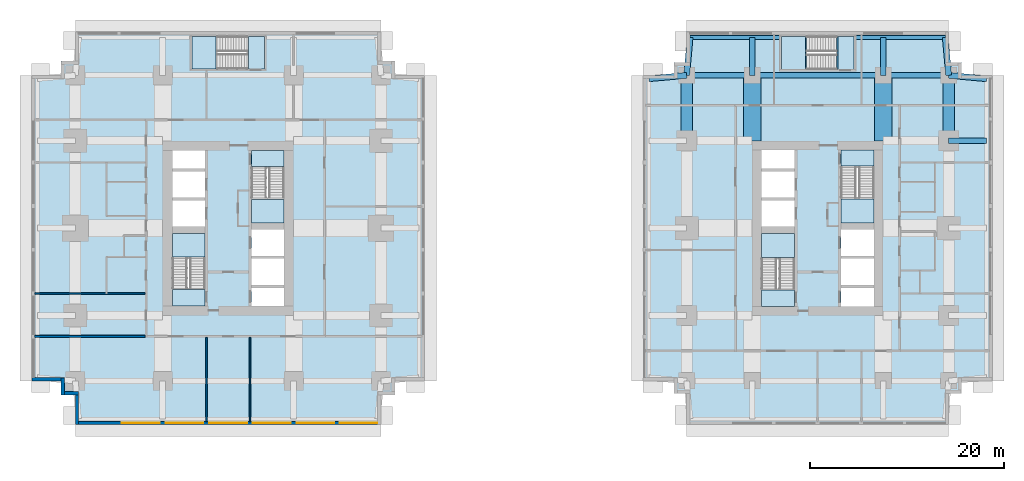
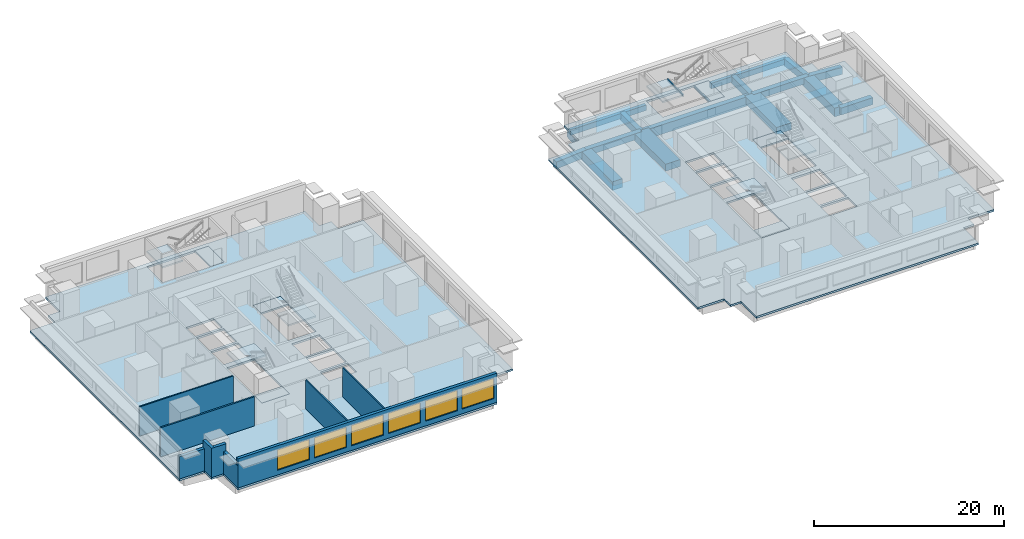
# One storey, part 2 of 11: 18 beams, 14 slabs, 9 walls, 6 windows, 6 openings, 6 elements without a shape of their own.
"""IFC4 building model written with IfcOpenShell, lengths in metres."""

from ifc_helpers import new_model, si_unit, direction, frame, frame_2d, origin, origin_2d, place, context, subcontext, project, spatial, polyline, rectangle, i_section, outline, extrude, material, layer, layer_set, material_profile, profile_set, type_object, element, fill, aggregate, save


model = new_model("IFC4")

# Units and contexts
model_context = context("Model", 3, precision=1e-05, world=origin(), true_north=direction((0.0, 1.0)))
body_context = subcontext(model_context, "Body", "Model", "MODEL_VIEW")
ifc_project = project(units=[si_unit("LENGTHUNIT", "METRE"), si_unit("AREAUNIT", "SQUARE_METRE"), si_unit("VOLUMEUNIT", "CUBIC_METRE"), si_unit("PLANEANGLEUNIT", "RADIAN"), si_unit("MASSUNIT", "GRAM", prefix="KILO")], contexts=[model_context])

# Site, building, storey
site_placement = place(None, origin())
site = spatial("IfcSite", under=ifc_project, at=site_placement, CompositionType="ELEMENT")
building_placement = place(site_placement, origin())
building = spatial("IfcBuilding", under=site, at=building_placement, Name="Namib Vertical Campus", CompositionType="ELEMENT")
storey_placement = place(building_placement, frame((0.0, 0.0, 69.0)))
storey = spatial("IfcBuildingStorey", under=building, at=storey_placement, Name="L16", CompositionType="ELEMENT", Elevation=69.0)

# Beams
ifc_material_1 = material(Name="Concrete C40/50", Category="concrete")
ifc_material_profile_1 = material_profile(ifc_material_1, rectangle(XDim=0.60009765625, YDim=0.89990234375, at=origin_2d()))
ifc_profile_set_1 = profile_set([ifc_material_profile_1], Name="Concrete C40/50")
beam_type_1 = type_object("IfcBeamType", Name="Cantilever girder RC 600x900", PredefinedType="BEAM", material=ifc_profile_set_1)
beam_1_placement = place(storey_placement, frame((67.5, 36.0, -0.699951171875), z_axis=(0.089411326146, 0.995994786511, 0.0), x_axis=(-0.995994786511, 0.089411326146, 0.0)))
element("IfcBeam", 1, at=beam_1_placement, inside=storey, type_object=beam_type_1, Name="Beam B3 L16", PredefinedType="BEAM", context=body_context, shape_type="SweptSolid", body=[
    extrude(rectangle(XDim=0.60009765625, YDim=0.89990234375, at=origin_2d()), origin(), (0.0, 0.0, 1.0), 3.91552734375),
])
for number, where, z_axis, x_axis, name in (
    (2, (74.25, 36.0, -0.699951171875), (0.0, 1.0, 0.0), (-1.0, 0.0, 0.0), "Beam B3 L16"),
    (3, (87.75, 36.0, -0.699951171875), (0.0, 1.0, 0.0), (-1.0, 0.0, 0.0), "Beam B3 L16"),
):
    element("IfcBeam", number, at=place(storey_placement, frame(where, z_axis=z_axis, x_axis=x_axis)), inside=storey, type_object=beam_type_1, Name=name, PredefinedType="BEAM", context=body_context, shape_type="SweptSolid", body=[
        extrude(rectangle(XDim=0.60009765625, YDim=0.89990234375, at=origin_2d()), origin(), (0.0, 0.0, 1.0), 3.89990234375),
    ])
for number, where, z_axis, x_axis, name in (
    (4, (94.5, 36.0, -0.699951171875), (-0.089411326146, 0.995994786511, 0.0), (-0.995994786511, -0.089411326146, 0.0), "Beam B3 L16"),
    (5, (67.5, 36.0, -0.699951171875), (-0.995994786511, -0.089411326146, 0.0), (0.089411326146, -0.995994786511, 0.0), "Beam B3 L16"),
):
    element("IfcBeam", number, at=place(storey_placement, frame(where, z_axis=z_axis, x_axis=x_axis)), inside=storey, type_object=beam_type_1, Name=name, PredefinedType="BEAM", context=body_context, shape_type="SweptSolid", body=[
        extrude(rectangle(XDim=0.60009765625, YDim=0.89990234375, at=origin_2d()), origin(), (0.0, 0.0, 1.0), 3.91552734375),
    ])
beam_2_placement = place(storey_placement, frame((94.5, 29.25, -0.699951171875), z_axis=(1.0, 0.0, 0.0), x_axis=(0.0, 1.0, 0.0)))
element("IfcBeam", 6, at=beam_2_placement, inside=storey, type_object=beam_type_1, Name="Beam B3 L16", PredefinedType="BEAM", context=body_context, shape_type="SweptSolid", body=[
    extrude(rectangle(XDim=0.60009765625, YDim=0.89990234375, at=origin_2d()), origin(), (0.0, 0.0, 1.0), 3.89990234375),
])
beam_3_placement = place(storey_placement, frame((94.5, 36.0, -0.699951171875), z_axis=(0.995994786511, -0.089411326146, 0.0), x_axis=(0.089411326146, 0.995994786511, 0.0)))
element("IfcBeam", 7, at=beam_3_placement, inside=storey, type_object=beam_type_1, Name="Beam B3 L16", PredefinedType="BEAM", context=body_context, shape_type="SweptSolid", body=[
    extrude(rectangle(XDim=0.60009765625, YDim=0.89990234375, at=origin_2d()), origin(), (0.0, 0.0, 1.0), 3.91552734375),
])
ifc_material_2 = material(Name="Concrete C40/50", Category="concrete")
ifc_material_profile_2 = material_profile(ifc_material_2, rectangle(XDim=0.39990234375, YDim=0.699951171875, at=origin_2d()))
ifc_profile_set_2 = profile_set([ifc_material_profile_2], Name="Concrete C40/50")
beam_type_2 = type_object("IfcBeamType", Name="Edge beam RC 400x700", PredefinedType="SPANDREL", material=ifc_profile_set_2)
for number, where, z_axis, x_axis, name in (
    (8, (67.85009765625, 39.89990234375, -0.60009765625), (1.0, 0.0, 0.0), (0.0, 1.0, 0.0), "Beam B4 L16"),
    (9, (84.949951171875, 39.89990234375, -0.60009765625), (1.0, 0.0, 0.0), (0.0, 1.0, 0.0), "Beam B4 L16"),
):
    element("IfcBeam", number, at=place(storey_placement, frame(where, z_axis=z_axis, x_axis=x_axis)), inside=storey, type_object=beam_type_2, Name=name, PredefinedType="SPANDREL", context=body_context, shape_type="SweptSolid", body=[
        extrude(rectangle(XDim=0.39990234375, YDim=0.699951171875, at=origin_2d()), origin(), (0.0, 0.0, 1.0), 9.199951171875),
    ])
ifc_material_3 = material(Name="Concrete C40/50", Category="concrete")
ifc_material_profile_3 = material_profile(ifc_material_3, rectangle(XDim=1.199951171875, YDim=1.10009765625, at=origin_2d()))
ifc_profile_set_3 = profile_set([ifc_material_profile_3], Name="Concrete C40/50")
beam_type_3 = type_object("IfcBeamType", Name="Face ring beam RC 1200x1100", PredefinedType="BEAM", material=ifc_profile_set_3)
for number, where, z_axis, x_axis, name in (
    (10, (67.5, 29.25, -0.800048828125), (0.0, 1.0, 0.0), (-1.0, 0.0, 0.0), "Beam B11 L16"),
    (11, (94.5, 29.25, -0.800048828125), (0.0, 1.0, 0.0), (-1.0, 0.0, 0.0), "Beam B11 L16"),
):
    element("IfcBeam", number, at=place(storey_placement, frame(where, z_axis=z_axis, x_axis=x_axis)), inside=storey, type_object=beam_type_3, Name=name, PredefinedType="BEAM", context=body_context, shape_type="SweptSolid", body=[
        extrude(rectangle(XDim=1.199951171875, YDim=1.10009765625, at=origin_2d()), origin(), (0.0, 0.0, 1.0), 6.75),
    ])
ifc_material_4 = material(Name="Steel S355JR", Category="steel")
ifc_material_profile_4 = material_profile(ifc_material_4, i_section(OverallWidth=0.14599609375, OverallDepth=0.25146484375, WebThickness=0.006103515625, FlangeThickness=0.008544921875, FilletRadius=0.007568359375, at=origin_2d()))
ifc_profile_set_4 = profile_set([ifc_material_profile_4], Name="Steel S355JR")
beam_type_4 = type_object("IfcBeamType", Name="Landing trimmer UB 254x146x31", PredefinedType="BEAM", material=ifc_profile_set_4)
for number, where, z_axis, x_axis, name in (
    (12, (83.02294921875, 36.60009765625, -0.125732421875), (0.0, 1.0, 0.0), (-1.0, 0.0, 0.0), "Landing trimmer LT1 B-S3 L16 1"),
    (13, (79.796875, 36.60009765625, 1.874267578125), (0.0, 1.0, 0.0), (-1.0, 0.0, 0.0), "Landing trimmer LT1 B-S3 L16 2"),
):
    element("IfcBeam", number, at=place(storey_placement, frame(where, z_axis=z_axis, x_axis=x_axis)), inside=storey, type_object=beam_type_4, Name=name, PredefinedType="BEAM", context=body_context, shape_type="SweptSolid", body=[
        extrude(i_section(OverallWidth=0.14599609375, OverallDepth=0.25146484375, WebThickness=0.006103515625, FlangeThickness=0.008544921875, FilletRadius=0.007568359375, at=origin_2d()), origin(), (0.0, 0.0, 1.0), 3.39990234375),
    ])
ifc_material_5 = material(Name="Concrete C40/50", Category="concrete")
ifc_material_profile_5 = material_profile(ifc_material_5, rectangle(XDim=0.60009765625, YDim=1.199951171875, at=origin_2d()))
ifc_profile_set_5 = profile_set([ifc_material_profile_5], Name="Concrete C40/50")
beam_type_5 = type_object("IfcBeamType", Name="Long-span ring beam RC 600x1200", PredefinedType="BEAM", material=ifc_profile_set_5)
beam_4_placement = place(storey_placement, frame((74.25, 36.0, -0.85009765625), z_axis=(1.0, 0.0, 0.0), x_axis=(0.0, 1.0, 0.0)))
element("IfcBeam", 14, at=beam_4_placement, inside=storey, type_object=beam_type_5, Name="Beam B9 L16", PredefinedType="BEAM", context=body_context, shape_type="SweptSolid", body=[
    extrude(rectangle(XDim=0.60009765625, YDim=1.199951171875, at=origin_2d()), origin(), (0.0, 0.0, 1.0), 13.5),
])
ifc_material_6 = material(Name="Concrete C40/50", Category="concrete")
ifc_material_profile_6 = material_profile(ifc_material_6, rectangle(XDim=1.800048828125, YDim=0.89990234375, at=origin_2d()))
ifc_profile_set_6 = profile_set([ifc_material_profile_6], Name="Concrete C40/50")
beam_type_6 = type_object("IfcBeamType", Name="Outrigger line girder RC 1800x900", PredefinedType="BEAM", material=ifc_profile_set_6)
for number, where, z_axis, x_axis, name in (
    (15, (74.25, 36.0, -0.699951171875), (0.0, -1.0, 0.0), (1.0, 0.0, 0.0), "Beam B12 L16"),
    (16, (87.75, 36.0, -0.699951171875), (0.0, -1.0, 0.0), (1.0, 0.0, 0.0), "Beam B12 L16"),
):
    element("IfcBeam", number, at=place(storey_placement, frame(where, z_axis=z_axis, x_axis=x_axis)), inside=storey, type_object=beam_type_6, Name=name, PredefinedType="BEAM", context=body_context, shape_type="SweptSolid", body=[
        extrude(rectangle(XDim=1.800048828125, YDim=0.89990234375, at=origin_2d()), origin(), (0.0, 0.0, 1.0), 6.75),
    ])
ifc_material_7 = material(Name="Concrete C40/50", Category="concrete")
ifc_material_profile_7 = material_profile(ifc_material_7, rectangle(XDim=0.60009765625, YDim=0.800048828125, at=origin_2d()))
ifc_profile_set_7 = profile_set([ifc_material_profile_7], Name="Concrete C40/50")
beam_type_7 = type_object("IfcBeamType", Name="Ring beam RC 600x800", PredefinedType="BEAM", material=ifc_profile_set_7)
for number, where, z_axis, x_axis, name in (
    (17, (67.5, 36.0, -0.64990234375), (1.0, 0.0, 0.0), (0.0, 1.0, 0.0), "Beam B1 L16"),
    (18, (87.75, 36.0, -0.64990234375), (1.0, 0.0, 0.0), (0.0, 1.0, 0.0), "Beam B1 L16"),
):
    element("IfcBeam", number, at=place(storey_placement, frame(where, z_axis=z_axis, x_axis=x_axis)), inside=storey, type_object=beam_type_7, Name=name, PredefinedType="BEAM", context=body_context, shape_type="SweptSolid", body=[
        extrude(rectangle(XDim=0.60009765625, YDim=0.800048828125, at=origin_2d()), origin(), (0.0, 0.0, 1.0), 6.75),
    ])

# Slabs
ifc_material_8 = material(Name="Concrete C40/50", Category="concrete")
ifc_layer_1 = layer(ifc_material_8, 0.25)
ifc_layer_set_1 = layer_set([ifc_layer_1], Name="Concrete C40/50")
slab_type_1 = type_object("IfcSlabType", Name="Floor slab 250", PredefinedType="FLOOR", material=ifc_layer_set_1)
slab_1_placement = place(storey_placement, frame((0.0, 0.0, -0.25)))
element("IfcSlab", 19, at=slab_1_placement, inside=storey, type_object=slab_type_1, Name="Floor slab A L16", PredefinedType="FLOOR", context=body_context, shape_type="SweptSolid", body=[
    extrude(outline(polyline([(4.5, 0.0), (36.0, 0.0), (36.0, 3.050048828125), (37.449951171875, 3.050048828125), (37.449951171875, 4.5), (40.5, 4.5), (40.5, 36.0), (37.449951171875, 36.0), (37.449951171875, 37.449951171875), (36.0, 37.449951171875), (36.0, 40.5), (4.5, 40.5), (4.5, 37.449951171875), (3.050048828125, 37.449951171875), (3.050048828125, 36.0), (0.0, 36.0), (0.0, 4.5), (3.050048828125, 4.5), (3.050048828125, 3.050048828125), (4.5, 3.050048828125), (4.5, 0.0)]), holes=[polyline([(14.5, 12.25), (17.85009765625, 12.25), (17.85009765625, 19.699951171875), (14.5, 19.699951171875), (14.5, 12.25)]), polyline([(22.64990234375, 20.800048828125), (26.0, 20.800048828125), (26.0, 28.25), (22.64990234375, 28.25), (22.64990234375, 20.800048828125)]), polyline([(22.64990234375, 12.25), (26.0, 12.25), (26.0, 14.10009765625), (22.64990234375, 14.10009765625), (22.64990234375, 12.25)]), polyline([(14.5, 20.39990234375), (17.85009765625, 20.39990234375), (17.85009765625, 23.10009765625), (14.5, 23.10009765625), (14.5, 20.39990234375)]), polyline([(14.5, 23.39990234375), (17.85009765625, 23.39990234375), (17.85009765625, 26.10009765625), (14.5, 26.10009765625), (14.5, 23.39990234375)]), polyline([(14.5, 26.39990234375), (17.85009765625, 26.39990234375), (17.85009765625, 28.25), (14.5, 28.25), (14.5, 26.39990234375)]), polyline([(22.64990234375, 14.39990234375), (26.0, 14.39990234375), (26.0, 17.10009765625), (22.64990234375, 17.10009765625), (22.64990234375, 14.39990234375)]), polyline([(22.64990234375, 17.39990234375), (26.0, 17.39990234375), (26.0, 20.10009765625), (22.64990234375, 20.10009765625), (22.64990234375, 17.39990234375)]), polyline([(16.5, 36.64990234375), (24.0, 36.64990234375), (24.0, 40.0), (16.5, 40.0), (16.5, 36.64990234375)])]), origin(), (0.0, 0.0, 1.0), 0.25),
])
slab_2_placement = place(storey_placement, frame((0.0, 0.0, -0.25)))
element("IfcSlab", 20, at=slab_2_placement, inside=storey, type_object=slab_type_1, Name="Floor slab B L16", PredefinedType="FLOOR", context=body_context, shape_type="SweptSolid", body=[
    extrude(outline(polyline([(67.5, 0.0), (94.5, 0.0), (94.5, 3.199951171875), (95.800048828125, 3.199951171875), (95.800048828125, 4.5), (99.0, 4.5), (99.0, 36.0), (95.800048828125, 36.0), (95.800048828125, 37.300048828125), (94.5, 37.300048828125), (94.5, 40.5), (67.5, 40.5), (67.5, 37.300048828125), (66.199951171875, 37.300048828125), (66.199951171875, 36.0), (63.0, 36.0), (63.0, 4.5), (66.199951171875, 4.5), (66.199951171875, 3.199951171875), (67.5, 3.199951171875), (67.5, 0.0)]), holes=[polyline([(75.199951171875, 12.199951171875), (78.60009765625, 12.199951171875), (78.60009765625, 19.699951171875), (75.199951171875, 19.699951171875), (75.199951171875, 12.199951171875)]), polyline([(83.39990234375, 20.800048828125), (86.800048828125, 20.800048828125), (86.800048828125, 28.300048828125), (83.39990234375, 28.300048828125), (83.39990234375, 20.800048828125)]), polyline([(83.39990234375, 12.199951171875), (86.800048828125, 12.199951171875), (86.800048828125, 14.10009765625), (83.39990234375, 14.10009765625), (83.39990234375, 12.199951171875)]), polyline([(75.199951171875, 20.39990234375), (78.60009765625, 20.39990234375), (78.60009765625, 23.10009765625), (75.199951171875, 23.10009765625), (75.199951171875, 20.39990234375)]), polyline([(75.199951171875, 23.39990234375), (78.60009765625, 23.39990234375), (78.60009765625, 26.10009765625), (75.199951171875, 26.10009765625), (75.199951171875, 23.39990234375)]), polyline([(75.199951171875, 26.39990234375), (78.60009765625, 26.39990234375), (78.60009765625, 28.300048828125), (75.199951171875, 28.300048828125), (75.199951171875, 26.39990234375)]), polyline([(83.39990234375, 14.39990234375), (86.800048828125, 14.39990234375), (86.800048828125, 17.10009765625), (83.39990234375, 17.10009765625), (83.39990234375, 14.39990234375)]), polyline([(83.39990234375, 17.39990234375), (86.800048828125, 17.39990234375), (86.800048828125, 20.10009765625), (83.39990234375, 20.10009765625), (83.39990234375, 17.39990234375)]), polyline([(77.25, 36.60009765625), (84.75, 36.60009765625), (84.75, 40.0), (77.25, 40.0), (77.25, 36.60009765625)])]), origin(), (0.0, 0.0, 1.0), 0.25),
])

# Stair, slabs
ifc_material_9 = material(Name="Concrete C40/50 precast", Category="concrete")
stair_type_1 = type_object("IfcStairType", Name="Exit stair 4000 rise 24 risers 3350 wide", PredefinedType="HALF_TURN_STAIR", material=ifc_material_9)
stair_1_placement = place(storey_placement, origin())
stair_1 = element("IfcStair", 21, at=stair_1_placement, inside=storey, type_object=stair_type_1, Name="Exit stair A-S1 L16", PredefinedType="HALF_TURN_STAIR")
ifc_material_10 = material(Name="Concrete C40/50", Category="concrete")
ifc_layer_2 = layer(ifc_material_10, 0.199951171875)
ifc_layer_set_2 = layer_set([ifc_layer_2], Name="Concrete C40/50")
slab_type_2 = type_object("IfcSlabType", Name="Stair landing 200", PredefinedType="LANDING", material=ifc_layer_set_2)
slab_3_placement = place(storey_placement, frame((0.0, 0.0, -0.199951171875)))
slab_3 = element("IfcSlab", 22, at=slab_3_placement, type_object=slab_type_2, Name="A-S1 landing 1", PredefinedType="LANDING", context=body_context, shape_type="SweptSolid", body=[
    extrude(outline(polyline([(14.5, 12.25), (17.85009765625, 12.25), (17.85009765625, 13.90380859375), (14.5, 13.90380859375), (14.5, 12.25)])), origin(), (0.0, 0.0, 1.0), 0.199951171875),
])
slab_4_placement = place(storey_placement, frame((0.0, 0.0, 1.800048828125)))
slab_4 = element("IfcSlab", 23, at=slab_4_placement, type_object=slab_type_2, Name="A-S1 landing 2", PredefinedType="LANDING", context=body_context, shape_type="SweptSolid", body=[
    extrude(outline(polyline([(14.5, 17.276123046875), (17.85009765625, 17.276123046875), (17.85009765625, 19.699951171875), (14.5, 19.699951171875), (14.5, 17.276123046875)])), origin(), (0.0, 0.0, 1.0), 0.199951171875),
])
aggregate(stair_1, [slab_3, slab_4])

stair_2_placement = place(storey_placement, origin())
stair_2 = element("IfcStair", 24, at=stair_2_placement, inside=storey, type_object=stair_type_1, Name="Exit stair A-S2 L16", PredefinedType="HALF_TURN_STAIR")
slab_5_placement = place(storey_placement, frame((0.0, 0.0, -0.199951171875)))
slab_5 = element("IfcSlab", 25, at=slab_5_placement, type_object=slab_type_2, Name="A-S2 landing 1", PredefinedType="LANDING", context=body_context, shape_type="SweptSolid", body=[
    extrude(outline(polyline([(22.64990234375, 26.59619140625), (26.0, 26.59619140625), (26.0, 28.25), (22.64990234375, 28.25), (22.64990234375, 26.59619140625)])), origin(), (0.0, 0.0, 1.0), 0.199951171875),
])
slab_6_placement = place(storey_placement, frame((0.0, 0.0, 1.800048828125)))
slab_6 = element("IfcSlab", 26, at=slab_6_placement, type_object=slab_type_2, Name="A-S2 landing 2", PredefinedType="LANDING", context=body_context, shape_type="SweptSolid", body=[
    extrude(outline(polyline([(22.64990234375, 20.800048828125), (26.0, 20.800048828125), (26.0, 23.223876953125), (22.64990234375, 23.223876953125), (22.64990234375, 20.800048828125)])), origin(), (0.0, 0.0, 1.0), 0.199951171875),
])
aggregate(stair_2, [slab_5, slab_6])

ifc_material_11 = material(Name="Concrete C40/50 precast", Category="concrete")
stair_type_2 = type_object("IfcStairType", Name="Exit stair 4000 rise 24 risers 3400 wide", PredefinedType="HALF_TURN_STAIR", material=ifc_material_11)
stair_3_placement = place(storey_placement, origin())
stair_3 = element("IfcStair", 27, at=stair_3_placement, inside=storey, type_object=stair_type_2, Name="Exit stair B-S1 L16", PredefinedType="HALF_TURN_STAIR")
slab_7_placement = place(storey_placement, frame((0.0, 0.0, -0.199951171875)))
slab_7 = element("IfcSlab", 28, at=slab_7_placement, type_object=slab_type_2, Name="B-S1 landing 1", PredefinedType="LANDING", context=body_context, shape_type="SweptSolid", body=[
    extrude(outline(polyline([(75.199951171875, 12.199951171875), (78.60009765625, 12.199951171875), (78.60009765625, 13.85400390625), (75.199951171875, 13.85400390625), (75.199951171875, 12.199951171875)])), origin(), (0.0, 0.0, 1.0), 0.199951171875),
])
slab_8_placement = place(storey_placement, frame((0.0, 0.0, 1.800048828125)))
slab_8 = element("IfcSlab", 29, at=slab_8_placement, type_object=slab_type_2, Name="B-S1 landing 2", PredefinedType="LANDING", context=body_context, shape_type="SweptSolid", body=[
    extrude(outline(polyline([(75.199951171875, 17.22607421875), (78.60009765625, 17.22607421875), (78.60009765625, 19.699951171875), (75.199951171875, 19.699951171875), (75.199951171875, 17.22607421875)])), origin(), (0.0, 0.0, 1.0), 0.199951171875),
])
aggregate(stair_3, [slab_7, slab_8])

stair_4_placement = place(storey_placement, origin())
stair_4 = element("IfcStair", 30, at=stair_4_placement, inside=storey, type_object=stair_type_2, Name="Exit stair B-S2 L16", PredefinedType="HALF_TURN_STAIR")
slab_9_placement = place(storey_placement, frame((0.0, 0.0, -0.199951171875)))
slab_9 = element("IfcSlab", 31, at=slab_9_placement, type_object=slab_type_2, Name="B-S2 landing 1", PredefinedType="LANDING", context=body_context, shape_type="SweptSolid", body=[
    extrude(outline(polyline([(83.39990234375, 26.64599609375), (86.800048828125, 26.64599609375), (86.800048828125, 28.300048828125), (83.39990234375, 28.300048828125), (83.39990234375, 26.64599609375)])), origin(), (0.0, 0.0, 1.0), 0.199951171875),
])
slab_10_placement = place(storey_placement, frame((0.0, 0.0, 1.800048828125)))
slab_10 = element("IfcSlab", 32, at=slab_10_placement, type_object=slab_type_2, Name="B-S2 landing 2", PredefinedType="LANDING", context=body_context, shape_type="SweptSolid", body=[
    extrude(outline(polyline([(83.39990234375, 20.800048828125), (86.800048828125, 20.800048828125), (86.800048828125, 23.27392578125), (83.39990234375, 23.27392578125), (83.39990234375, 20.800048828125)])), origin(), (0.0, 0.0, 1.0), 0.199951171875),
])
aggregate(stair_4, [slab_9, slab_10])

stair_5_placement = place(storey_placement, origin())
stair_5 = element("IfcStair", 33, at=stair_5_placement, inside=storey, type_object=stair_type_1, Name="Exit stair A-S3 L16", PredefinedType="HALF_TURN_STAIR")
slab_11_placement = place(storey_placement, frame((0.0, 0.0, -0.199951171875)))
slab_11 = element("IfcSlab", 34, at=slab_11_placement, type_object=slab_type_2, Name="A-S3 landing 1", PredefinedType="LANDING", context=body_context, shape_type="SweptSolid", body=[
    extrude(outline(polyline([(22.34619140625, 36.64990234375), (22.34619140625, 40.0), (24.0, 40.0), (24.0, 36.64990234375), (22.34619140625, 36.64990234375)])), origin(), (0.0, 0.0, 1.0), 0.199951171875),
])
slab_12_placement = place(storey_placement, frame((0.0, 0.0, 1.800048828125)))
slab_12 = element("IfcSlab", 35, at=slab_12_placement, type_object=slab_type_2, Name="A-S3 landing 2", PredefinedType="LANDING", context=body_context, shape_type="SweptSolid", body=[
    extrude(outline(polyline([(16.5, 36.64990234375), (16.5, 40.0), (18.973876953125, 40.0), (18.973876953125, 36.64990234375), (16.5, 36.64990234375)])), origin(), (0.0, 0.0, 1.0), 0.199951171875),
])
aggregate(stair_5, [slab_11, slab_12])

stair_6_placement = place(storey_placement, origin())
stair_6 = element("IfcStair", 36, at=stair_6_placement, inside=storey, type_object=stair_type_2, Name="Exit stair B-S3 L16", PredefinedType="HALF_TURN_STAIR")
slab_13_placement = place(storey_placement, frame((0.0, 0.0, -0.199951171875)))
slab_13 = element("IfcSlab", 37, at=slab_13_placement, type_object=slab_type_2, Name="B-S3 landing 1", PredefinedType="LANDING", context=body_context, shape_type="SweptSolid", body=[
    extrude(outline(polyline([(83.09619140625, 36.60009765625), (83.09619140625, 40.0), (84.75, 40.0), (84.75, 36.60009765625), (83.09619140625, 36.60009765625)])), origin(), (0.0, 0.0, 1.0), 0.199951171875),
])
slab_14_placement = place(storey_placement, frame((0.0, 0.0, 1.800048828125)))
slab_14 = element("IfcSlab", 38, at=slab_14_placement, type_object=slab_type_2, Name="B-S3 landing 2", PredefinedType="LANDING", context=body_context, shape_type="SweptSolid", body=[
    extrude(outline(polyline([(77.25, 36.60009765625), (77.25, 40.0), (79.723876953125, 40.0), (79.723876953125, 36.60009765625), (77.25, 36.60009765625)])), origin(), (0.0, 0.0, 1.0), 0.199951171875),
])
aggregate(stair_6, [slab_13, slab_14])

# Wall
ifc_material_12 = material(Name="Concrete masonry", Category="masonry")
ifc_layer_3 = layer(ifc_material_12, 0.199951171875)
ifc_layer_set_3 = layer_set([ifc_layer_3], Name="Corridor wall 200")
wall_type_1 = type_object("IfcWallType", Name="Corridor wall 200", PredefinedType="SOLIDWALL", material=ifc_layer_set_3)
wall_1_placement = place(storey_placement, frame((0.300048828125, 9.10009765625, 0.0), z_axis=(0.0, 0.0, 1.0), x_axis=(1.0, 0.0, 0.0)))
element("IfcWall", 39, at=wall_1_placement, inside=storey, type_object=wall_type_1, Name="Partition A L16 BSW", PredefinedType="SOLIDWALL", context=body_context, shape_type="SweptSolid", body=[
    extrude(rectangle(XDim=11.39990234375, YDim=0.199951171875, at=frame_2d((5.699951171875, 0.0))), origin(), (0.0, 0.0, 1.0), 3.75),
])

# Wall, openings, windows
ifc_material_13 = material(Name="Concrete C40/50", Category="concrete")
ifc_layer_4 = layer(ifc_material_13, 0.35009765625)
ifc_layer_set_4 = layer_set([ifc_layer_4], Name="Concrete C40/50")
wall_type_2 = type_object("IfcWallType", Name="External wall 350 bush-hammered concrete", PredefinedType="STANDARD", material=ifc_layer_set_4)
wall_2_placement = place(storey_placement, frame((4.52001953125, 0.175048828125, 0.0), z_axis=(0.0, 0.0, 1.0), x_axis=(1.0, 0.0, 0.0)))
wall_2 = element("IfcWall", 40, at=wall_2_placement, inside=storey, type_object=wall_type_2, Name="External wall L16 F01", PredefinedType="STANDARD", context=body_context, shape_type="SweptSolid", body=[
    extrude(rectangle(XDim=31.4599609375, YDim=0.35009765625, at=frame_2d((15.72998046875, 0.0))), origin(), (0.0, 0.0, 1.0), 3.75),
])
opening_1_placement = place(wall_2_placement, frame((4.780029296875, 0.0, 0.60009765625)))
opening_1 = element("IfcOpeningElement", 41, at=opening_1_placement, cuts=wall_2, Name="Opening W2", PredefinedType="OPENING", context=body_context, shape_type="SweptSolid", body=[
    extrude(rectangle(XDim=3.89990234375, YDim=2.60009765625, at=frame_2d((1.949951171875, 1.300048828125))), frame((0.0, 0.18505859375, 0.0), z_axis=(0.0, -1.0, 0.0), x_axis=(1.0, 0.0, 0.0)), (0.0, 0.0, 1.0), 0.3701171875),
])
opening_2_placement = place(wall_2_placement, frame((9.280029296875, 0.0, 0.60009765625)))
opening_2 = element("IfcOpeningElement", 42, at=opening_2_placement, cuts=wall_2, Name="Opening W2", PredefinedType="OPENING", context=body_context, shape_type="SweptSolid", body=[
    extrude(rectangle(XDim=3.89990234375, YDim=2.60009765625, at=frame_2d((1.949951171875, 1.300048828125))), frame((0.0, 0.18505859375, 0.0), z_axis=(0.0, -1.0, 0.0), x_axis=(1.0, 0.0, 0.0)), (0.0, 0.0, 1.0), 0.3701171875),
])
opening_3_placement = place(wall_2_placement, frame((13.780029296875, 0.0, 0.60009765625)))
opening_3 = element("IfcOpeningElement", 43, at=opening_3_placement, cuts=wall_2, Name="Opening W2", PredefinedType="OPENING", context=body_context, shape_type="SweptSolid", body=[
    extrude(rectangle(XDim=3.89990234375, YDim=2.60009765625, at=frame_2d((1.949951171875, 1.300048828125))), frame((0.0, 0.18505859375, 0.0), z_axis=(0.0, -1.0, 0.0), x_axis=(1.0, 0.0, 0.0)), (0.0, 0.0, 1.0), 0.3701171875),
])
opening_4_placement = place(wall_2_placement, frame((18.280029296875, 0.0, 0.60009765625)))
opening_4 = element("IfcOpeningElement", 44, at=opening_4_placement, cuts=wall_2, Name="Opening W2", PredefinedType="OPENING", context=body_context, shape_type="SweptSolid", body=[
    extrude(rectangle(XDim=3.89990234375, YDim=2.60009765625, at=frame_2d((1.949951171875, 1.300048828125))), frame((0.0, 0.18505859375, 0.0), z_axis=(0.0, -1.0, 0.0), x_axis=(1.0, 0.0, 0.0)), (0.0, 0.0, 1.0), 0.3701171875),
])
opening_5_placement = place(wall_2_placement, frame((22.780029296875, 0.0, 0.60009765625)))
opening_5 = element("IfcOpeningElement", 45, at=opening_5_placement, cuts=wall_2, Name="Opening W2", PredefinedType="OPENING", context=body_context, shape_type="SweptSolid", body=[
    extrude(rectangle(XDim=3.89990234375, YDim=2.60009765625, at=frame_2d((1.949951171875, 1.300048828125))), frame((0.0, 0.18505859375, 0.0), z_axis=(0.0, -1.0, 0.0), x_axis=(1.0, 0.0, 0.0)), (0.0, 0.0, 1.0), 0.3701171875),
])
opening_6_placement = place(wall_2_placement, frame((27.2099609375, 0.0, 0.60009765625)))
opening_6 = element("IfcOpeningElement", 46, at=opening_6_placement, cuts=wall_2, Name="Opening W2", PredefinedType="OPENING", context=body_context, shape_type="SweptSolid", body=[
    extrude(rectangle(XDim=3.89990234375, YDim=2.60009765625, at=frame_2d((1.949951171875, 1.300048828125))), frame((0.0, 0.18505859375, 0.0), z_axis=(0.0, -1.0, 0.0), x_axis=(1.0, 0.0, 0.0)), (0.0, 0.0, 1.0), 0.3701171875),
])
ifc_material_14 = material(Name="Dark tinted glass in black aluminium frame", Category="aluminium")
window_type = type_object("IfcWindowType", Name="Ribbon window 3900x2600", PartitioningType="SINGLE_PANEL", PredefinedType="WINDOW", material=ifc_material_14)
window_1_placement = place(opening_1_placement, origin())
window_1 = element("IfcWindow", 47, at=window_1_placement, inside=storey, type_object=window_type, Name="Window W2 L16 F01-2", OverallHeight=2.60009765625, OverallWidth=3.89990234375, PartitioningType="SINGLE_PANEL", PredefinedType="WINDOW", context=body_context, shape_type="SweptSolid", body=[
    extrude(rectangle(XDim=3.89990234375, YDim=2.60009765625, at=frame_2d((1.949951171875, 1.300048828125))), frame((0.0, 0.030029296875, 0.0), z_axis=(0.0, -1.0, 0.0), x_axis=(1.0, 0.0, 0.0)), (0.0, 0.0, 1.0), 0.06005859375),
])
fill(opening_1, window_1)
window_2_placement = place(opening_2_placement, origin())
window_2 = element("IfcWindow", 48, at=window_2_placement, inside=storey, type_object=window_type, Name="Window W2 L16 F01-3", OverallHeight=2.60009765625, OverallWidth=3.89990234375, PartitioningType="SINGLE_PANEL", PredefinedType="WINDOW", context=body_context, shape_type="SweptSolid", body=[
    extrude(rectangle(XDim=3.89990234375, YDim=2.60009765625, at=frame_2d((1.949951171875, 1.300048828125))), frame((0.0, 0.030029296875, 0.0), z_axis=(0.0, -1.0, 0.0), x_axis=(1.0, 0.0, 0.0)), (0.0, 0.0, 1.0), 0.06005859375),
])
fill(opening_2, window_2)
window_3_placement = place(opening_3_placement, origin())
window_3 = element("IfcWindow", 49, at=window_3_placement, inside=storey, type_object=window_type, Name="Window W2 L16 F01-4", OverallHeight=2.60009765625, OverallWidth=3.89990234375, PartitioningType="SINGLE_PANEL", PredefinedType="WINDOW", context=body_context, shape_type="SweptSolid", body=[
    extrude(rectangle(XDim=3.89990234375, YDim=2.60009765625, at=frame_2d((1.949951171875, 1.300048828125))), frame((0.0, 0.030029296875, 0.0), z_axis=(0.0, -1.0, 0.0), x_axis=(1.0, 0.0, 0.0)), (0.0, 0.0, 1.0), 0.06005859375),
])
fill(opening_3, window_3)
window_4_placement = place(opening_4_placement, origin())
window_4 = element("IfcWindow", 50, at=window_4_placement, inside=storey, type_object=window_type, Name="Window W2 L16 F01-5", OverallHeight=2.60009765625, OverallWidth=3.89990234375, PartitioningType="SINGLE_PANEL", PredefinedType="WINDOW", context=body_context, shape_type="SweptSolid", body=[
    extrude(rectangle(XDim=3.89990234375, YDim=2.60009765625, at=frame_2d((1.949951171875, 1.300048828125))), frame((0.0, 0.030029296875, 0.0), z_axis=(0.0, -1.0, 0.0), x_axis=(1.0, 0.0, 0.0)), (0.0, 0.0, 1.0), 0.06005859375),
])
fill(opening_4, window_4)
window_5_placement = place(opening_5_placement, origin())
window_5 = element("IfcWindow", 51, at=window_5_placement, inside=storey, type_object=window_type, Name="Window W2 L16 F01-6", OverallHeight=2.60009765625, OverallWidth=3.89990234375, PartitioningType="SINGLE_PANEL", PredefinedType="WINDOW", context=body_context, shape_type="SweptSolid", body=[
    extrude(rectangle(XDim=3.89990234375, YDim=2.60009765625, at=frame_2d((1.949951171875, 1.300048828125))), frame((0.0, 0.030029296875, 0.0), z_axis=(0.0, -1.0, 0.0), x_axis=(1.0, 0.0, 0.0)), (0.0, 0.0, 1.0), 0.06005859375),
])
fill(opening_5, window_5)
window_6_placement = place(opening_6_placement, origin())
window_6 = element("IfcWindow", 52, at=window_6_placement, inside=storey, type_object=window_type, Name="Window W2 L16 F01-7", OverallHeight=2.60009765625, OverallWidth=3.89990234375, PartitioningType="SINGLE_PANEL", PredefinedType="WINDOW", context=body_context, shape_type="SweptSolid", body=[
    extrude(rectangle(XDim=3.89990234375, YDim=2.60009765625, at=frame_2d((1.949951171875, 1.300048828125))), frame((0.0, 0.030029296875, 0.0), z_axis=(0.0, -1.0, 0.0), x_axis=(1.0, 0.0, 0.0)), (0.0, 0.0, 1.0), 0.06005859375),
])
fill(opening_6, window_6)

# Walls
wall_3_placement = place(storey_placement, frame((0.02001953125, 4.675048828125, 0.0), z_axis=(0.0, 0.0, 1.0), x_axis=(1.0, 0.0, 0.0)))
element("IfcWall", 53, at=wall_3_placement, inside=storey, type_object=wall_type_2, Name="External wall L16 F17", PredefinedType="STANDARD", context=body_context, shape_type="SweptSolid", body=[
    extrude(rectangle(XDim=3.35986328125, YDim=0.35009765625, at=frame_2d((1.679931640625, 0.0))), origin(), (0.0, 0.0, 1.0), 2.85009765625),
])
for number, where, z_axis, x_axis, name in (
    (54, (3.22509765625, 4.830078125, 0.0), (0.0, 0.0, 1.0), (0.0, -1.0, 0.0), "External wall L16 F18"),
    (55, (3.070068359375, 3.22509765625, 0.0), (0.0, 0.0, 1.0), (1.0, 0.0, 0.0), "External wall L16 F19"),
):
    element("IfcWall", number, at=place(storey_placement, frame(where, z_axis=z_axis, x_axis=x_axis)), inside=storey, type_object=wall_type_2, Name=name, PredefinedType="STANDARD", context=body_context, shape_type="SweptSolid", body=[
        extrude(rectangle(XDim=1.760009765625, YDim=0.35009765625, at=frame_2d((0.8798828125, 0.0))), origin(), (0.0, 0.0, 1.0), 3.75),
    ])
wall_4_placement = place(storey_placement, frame((4.675048828125, 3.3798828125, 0.0), z_axis=(0.0, 0.0, 1.0), x_axis=(0.0, -1.0, 0.0)))
element("IfcWall", 56, at=wall_4_placement, inside=storey, type_object=wall_type_2, Name="External wall L16 F20", PredefinedType="STANDARD", context=body_context, shape_type="SweptSolid", body=[
    extrude(rectangle(XDim=3.35986328125, YDim=0.35009765625, at=frame_2d((1.679931640625, 0.0))), origin(), (0.0, 0.0, 1.0), 2.85009765625),
])
ifc_material_15 = material(Name="Gypsum board on steel studs", Category="steel")
ifc_layer_5 = layer(ifc_material_15, 0.14990234375)
ifc_layer_set_5 = layer_set([ifc_layer_5], Name="Gypsum board on steel studs")
wall_type_3 = type_object("IfcWallType", Name="Partition 150", PredefinedType="PARTITIONING", material=ifc_layer_set_5)
for number, where, z_axis, x_axis, name in (
    (57, (18.0, 0.300048828125, 0.0), (0.0, 0.0, 1.0), (0.0, 1.0, 0.0), "Partition A L16 PS1"),
    (58, (22.5, 0.300048828125, 0.0), (0.0, 0.0, 1.0), (0.0, 1.0, 0.0), "Partition A L16 PS2"),
):
    element("IfcWall", number, at=place(storey_placement, frame(where, z_axis=z_axis, x_axis=x_axis)), inside=storey, type_object=wall_type_3, Name=name, PredefinedType="PARTITIONING", context=body_context, shape_type="SweptSolid", body=[
        extrude(rectangle(XDim=8.699951171875, YDim=0.14990234375, at=frame_2d((4.35009765625, 0.0))), origin(), (0.0, 0.0, 1.0), 3.75),
    ])
wall_5_placement = place(storey_placement, frame((0.300048828125, 13.5, 0.0), z_axis=(0.0, 0.0, 1.0), x_axis=(1.0, 0.0, 0.0)))
element("IfcWall", 59, at=wall_5_placement, inside=storey, type_object=wall_type_3, Name="Partition A L16 PW1", PredefinedType="PARTITIONING", context=body_context, shape_type="SweptSolid", body=[
    extrude(rectangle(XDim=11.39990234375, YDim=0.14990234375, at=frame_2d((5.699951171875, 0.0))), origin(), (0.0, 0.0, 1.0), 3.75),
])

save(model, "model.ifc")
